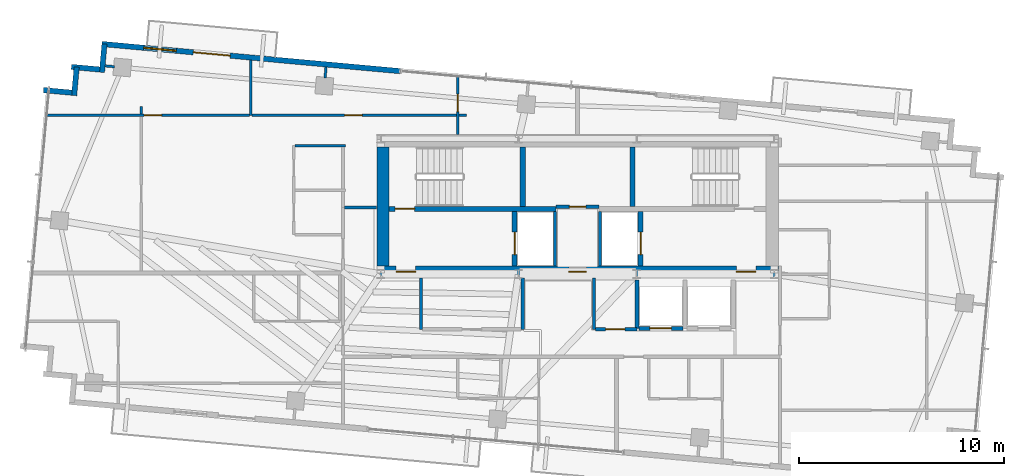
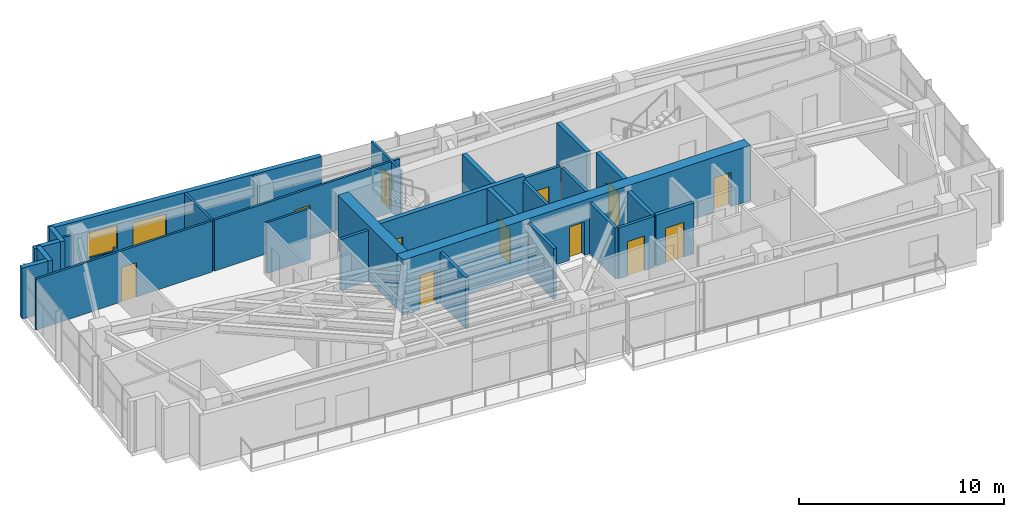
# One storey, part 17 of 22: 31 walls, 13 doors, 1 window, 14 openings.
"""IFC4 building model written with IfcOpenShell, lengths in metres."""

from ifc_helpers import new_model, si_unit, direction, frame, frame_2d, origin, place, context, subcontext, project, spatial, rectangle, extrude, source, transform, mapped, material, layer, layer_set, type_object, type_shapes, element, fill, save


model = new_model("IFC4")

# Units and contexts
model_context = context("Model", 3, precision=1e-05, world=origin(), true_north=direction((0.0, 1.0)))
body_context = subcontext(model_context, "Body", "Model", "MODEL_VIEW")
ifc_project = project(units=[si_unit("LENGTHUNIT", "METRE"), si_unit("AREAUNIT", "SQUARE_METRE"), si_unit("VOLUMEUNIT", "CUBIC_METRE"), si_unit("PLANEANGLEUNIT", "RADIAN"), si_unit("MASSUNIT", "GRAM", prefix="KILO")], contexts=[model_context])

# Site, building, storey
site_placement = place(None, origin())
site = spatial("IfcSite", under=ifc_project, at=site_placement, CompositionType="ELEMENT")
building_placement = place(site_placement, origin())
building = spatial("IfcBuilding", under=site, at=building_placement, Name="Astriad Promenade Condominiums", CompositionType="ELEMENT")
storey_placement = place(building_placement, frame((0.0, 0.0, 229.800048828125)))
storey = spatial("IfcBuildingStorey", under=building, at=storey_placement, Name="L66", CompositionType="ELEMENT", Elevation=229.800048828125)

# Wall, openings, doors
ifc_material_1 = material(Name="Concrete C50/60", Category="concrete")
ifc_layer_1 = layer(ifc_material_1, 0.60009765625)
ifc_layer_set_1 = layer_set([ifc_layer_1], Name="Concrete C50/60")
wall_type_1 = type_object("IfcWallType", Name="CW-SHEAR-600", PredefinedType="SHEAR", material=ifc_layer_set_1)
wall_1_placement = place(storey_placement, frame((26.199951171875, 17.5, 0.0), z_axis=(0.0, 0.0, 1.0), x_axis=(1.0, 0.0, 0.0)))
wall_1 = element("IfcWall", 1, at=wall_1_placement, inside=storey, type_object=wall_type_1, Name="CW-CORE-S-L66", PredefinedType="SHEAR", context=body_context, shape_type="SweptSolid", body=[
    extrude(rectangle(XDim=19.60009765625, YDim=0.60009765625, at=frame_2d((9.800048828125, 0.0))), origin(), (0.0, 0.0, 1.0), 3.300048828125),
])
opening_1_placement = place(wall_1_placement, frame((0.949951171875, 0.0, 0.0)))
opening_1 = element("IfcOpeningElement", 2, at=opening_1_placement, cuts=wall_1, Name="Opening FD90-ST-095", PredefinedType="OPENING", context=body_context, shape_type="SweptSolid", body=[
    extrude(rectangle(XDim=0.949951171875, YDim=2.06005859375, at=frame_2d((0.47509765625, 1.030029296875))), frame((0.0, 0.31005859375, 0.0), z_axis=(0.0, -1.0, 0.0), x_axis=(1.0, 0.0, 0.0)), (0.0, 0.0, 1.0), 0.6201171875),
])
opening_2_placement = place(wall_1_placement, frame((9.3798828125, 0.0, 0.0)))
opening_2 = element("IfcOpeningElement", 3, at=opening_2_placement, cuts=wall_1, Name="Opening FD60-ULOW-085", PredefinedType="OPENING", context=body_context, shape_type="SweptSolid", body=[
    extrude(rectangle(XDim=0.85009765625, YDim=2.0, at=frame_2d((0.425048828125, 1.0))), frame((0.0, 0.31005859375, 0.0), z_axis=(0.0, -1.0, 0.0), x_axis=(1.0, 0.0, 0.0)), (0.0, 0.0, 1.0), 0.6201171875),
])
opening_3_placement = place(wall_1_placement, frame((17.550048828125, 0.0, 0.0)))
opening_3 = element("IfcOpeningElement", 4, at=opening_3_placement, cuts=wall_1, Name="Opening FD90-ST-095", PredefinedType="OPENING", context=body_context, shape_type="SweptSolid", body=[
    extrude(rectangle(XDim=0.949951171875, YDim=2.06005859375, at=frame_2d((0.47509765625, 1.030029296875))), frame((0.0, 0.31005859375, 0.0), z_axis=(0.0, -1.0, 0.0), x_axis=(1.0, 0.0, 0.0)), (0.0, 0.0, 1.0), 0.6201171875),
])
ifc_material_2 = material(Name="Fire-Rated Hollow Metal Stair Door")
door_type_1 = type_object("IfcDoorType", Name="FD90-ST-095", OperationType="NOTDEFINED", PredefinedType="DOOR", material=ifc_material_2)
shared_shape_1 = source(origin(), body_context, "Body", "SweptSolid", [
    extrude(rectangle(XDim=0.949951171875, YDim=2.06005859375, at=frame_2d((0.47509765625, 1.030029296875))), frame((0.0, 0.02490234375, 0.0), z_axis=(0.0, -1.0, 0.0), x_axis=(1.0, 0.0, 0.0)), (0.0, 0.0, 1.0), 0.050048828125),
])
type_shapes(door_type_1, [shared_shape_1])
door_1_placement = place(opening_1_placement, origin())
door_1 = element("IfcDoor", 5, at=door_1_placement, inside=storey, type_object=door_type_1, Name="D-FFW-L66", OperationType="SINGLE_SWING_LEFT", OverallHeight=2.06005859375, OverallWidth=0.949951171875, PredefinedType="DOOR", context=body_context, shape_type="MappedRepresentation", body=[
    mapped(shared_shape_1, transform((0.0, 0.0, 0.0), scale=1.0)),
])
fill(opening_1, door_1)
door_2_placement = place(opening_3_placement, origin())
door_2 = element("IfcDoor", 6, at=door_2_placement, inside=storey, type_object=door_type_1, Name="D-FFE-L66", OperationType="SINGLE_SWING_RIGHT", OverallHeight=2.06005859375, OverallWidth=0.949951171875, PredefinedType="DOOR", context=body_context, shape_type="MappedRepresentation", body=[
    mapped(shared_shape_1, transform((0.0, 0.0, 0.0), scale=1.0)),
])
fill(opening_3, door_2)
ifc_material_3 = material(Name="Solid-Core Low-Headroom Fire Door")
door_type_2 = type_object("IfcDoorType", Name="FD60-ULOW-085", OperationType="NOTDEFINED", PredefinedType="DOOR", material=ifc_material_3)
shared_shape_2 = source(origin(), body_context, "Body", "SweptSolid", [
    extrude(rectangle(XDim=0.85009765625, YDim=2.0, at=frame_2d((0.425048828125, 1.0))), frame((0.0, 0.02490234375, 0.0), z_axis=(0.0, -1.0, 0.0), x_axis=(1.0, 0.0, 0.0)), (0.0, 0.0, 1.0), 0.050048828125),
])
type_shapes(door_type_2, [shared_shape_2])
door_3_placement = place(opening_2_placement, origin())
door_3 = element("IfcDoor", 7, at=door_3_placement, inside=storey, type_object=door_type_2, Name="D-CSL-L66", OperationType="SINGLE_SWING_RIGHT", OverallHeight=2.0, OverallWidth=0.85009765625, PredefinedType="DOOR", context=body_context, shape_type="MappedRepresentation", body=[
    mapped(shared_shape_2, transform((0.0, 0.0, 0.0), scale=1.0)),
])
fill(opening_2, door_3)

# Wall
wall_2_placement = place(storey_placement, frame((26.5, 17.802001953125, 0.0), z_axis=(0.0, 0.0, 1.0), x_axis=(0.0, 1.0, 0.0)))
element("IfcWall", 8, at=wall_2_placement, inside=storey, type_object=wall_type_1, Name="CW-CORE-W-L66", PredefinedType="SHEAR", context=body_context, shape_type="SweptSolid", body=[
    extrude(rectangle(XDim=5.7958984375, YDim=0.60009765625, at=frame_2d((2.89794921875, 0.0))), origin(), (0.0, 0.0, 1.0), 3.300048828125),
])

# Wall, opening, door
ifc_layer_2 = layer(ifc_material_1, 0.25)
ifc_layer_set_2 = layer_set([ifc_layer_2], Name="Concrete C50/60")
wall_type_2 = type_object("IfcWallType", Name="WALL-CORE-INT-250", PredefinedType="SOLIDWALL", material=ifc_layer_set_2)
wall_3_placement = place(storey_placement, frame((26.802001953125, 20.574951171875, 0.0), z_axis=(0.0, 0.0, 1.0), x_axis=(1.0, 0.0, 0.0)))
wall_3 = element("IfcWall", 9, at=wall_3_placement, inside=storey, type_object=wall_type_2, Name="CW-INT-H1-L66", PredefinedType="SOLIDWALL", context=body_context, shape_type="SweptSolid", body=[
    extrude(rectangle(XDim=8.14794921875, YDim=0.25, at=frame_2d((4.073974609375, 0.0))), origin(), (0.0, 0.0, 1.0), 3.300048828125),
])
opening_4_placement = place(wall_3_placement, frame((0.298095703125, 0.0, 0.0)))
opening_4 = element("IfcOpeningElement", 10, at=opening_4_placement, cuts=wall_3, Name="Opening FD90-ST-095", PredefinedType="OPENING", context=body_context, shape_type="SweptSolid", body=[
    extrude(rectangle(XDim=0.949951171875, YDim=2.06005859375, at=frame_2d((0.47509765625, 1.030029296875))), frame((0.0, 0.135009765625, 0.0), z_axis=(0.0, -1.0, 0.0), x_axis=(1.0, 0.0, 0.0)), (0.0, 0.0, 1.0), 0.27001953125),
])
door_4_placement = place(opening_4_placement, origin())
door_4 = element("IfcDoor", 11, at=door_4_placement, inside=storey, type_object=door_type_1, Name="D-ST1-L66", OperationType="SINGLE_SWING_RIGHT", OverallHeight=2.06005859375, OverallWidth=0.949951171875, PredefinedType="DOOR", context=body_context, shape_type="MappedRepresentation", body=[
    mapped(shared_shape_1, transform((0.0, 0.0, 0.0), scale=1.0)),
])
fill(opening_4, door_4)

# Walls
for number, where, z_axis, x_axis, name in (
    (12, (33.324951171875, 20.701904296875, 0.0), (0.0, 0.0, 1.0), (0.0, 1.0, 0.0), "CW-ST1-E-L66"),
    (13, (38.675048828125, 20.701904296875, 0.0), (0.0, 0.0, 1.0), (0.0, 1.0, 0.0), "CW-ST2-W-L66"),
):
    element("IfcWall", number, at=place(storey_placement, frame(where, z_axis=z_axis, x_axis=x_axis)), inside=storey, type_object=wall_type_2, Name=name, PredefinedType="SOLIDWALL", context=body_context, shape_type="SweptSolid", body=[
        extrude(rectangle(XDim=2.89599609375, YDim=0.25, at=frame_2d((1.447998046875, 0.0))), origin(), (0.0, 0.0, 1.0), 3.300048828125),
    ])

# Wall, opening, door
wall_4_placement = place(storey_placement, frame((32.925048828125, 17.802001953125, 0.0), z_axis=(0.0, 0.0, 1.0), x_axis=(0.0, 1.0, 0.0)))
wall_4 = element("IfcWall", 14, at=wall_4_placement, inside=storey, type_object=wall_type_2, Name="CW-FFL1-W-L66", PredefinedType="SOLIDWALL", context=body_context, shape_type="SweptSolid", body=[
    extrude(rectangle(XDim=2.64599609375, YDim=0.25, at=frame_2d((1.322998046875, 0.0))), origin(), (0.0, 0.0, 1.0), 3.300048828125),
])
opening_5_placement = place(wall_4_placement, frame((0.548095703125, 0.0, 0.0)))
opening_5 = element("IfcOpeningElement", 15, at=opening_5_placement, cuts=wall_4, Name="Opening LD-FFL-1122", PredefinedType="OPENING", context=body_context, shape_type="SweptSolid", body=[
    extrude(rectangle(XDim=1.10009765625, YDim=2.080078125, at=frame_2d((0.550048828125, 1.0400390625))), frame((0.0, 0.135009765625, 0.0), z_axis=(0.0, -1.0, 0.0), x_axis=(1.0, 0.0, 0.0)), (0.0, 0.0, 1.0), 0.27001953125),
])
ifc_material_4 = material(Name="Brushed Stainless Steel Fire Elevator Landing Door", Category="steel")
door_type_3 = type_object("IfcDoorType", Name="LD-FFL-1122", OperationType="NOTDEFINED", PredefinedType="DOOR", material=ifc_material_4)
shared_shape_3 = source(origin(), body_context, "Body", "SweptSolid", [
    extrude(rectangle(XDim=1.10009765625, YDim=2.080078125, at=frame_2d((0.550048828125, 1.0400390625))), frame((0.0, 0.02490234375, 0.0), z_axis=(0.0, -1.0, 0.0), x_axis=(1.0, 0.0, 0.0)), (0.0, 0.0, 1.0), 0.050048828125),
])
type_shapes(door_type_3, [shared_shape_3])
door_5_placement = place(opening_5_placement, origin())
door_5 = element("IfcDoor", 16, at=door_5_placement, inside=storey, type_object=door_type_3, Name="Elevator Landing Door FFL-1 (L66)", OperationType="SLIDING_TO_LEFT", OverallHeight=2.080078125, OverallWidth=1.10009765625, PredefinedType="DOOR", context=body_context, shape_type="MappedRepresentation", body=[
    mapped(shared_shape_3, transform((0.0, 0.0, 0.0), scale=1.0)),
])
fill(opening_5, door_5)

wall_5_placement = place(storey_placement, frame((39.074951171875, 17.802001953125, 0.0), z_axis=(0.0, 0.0, 1.0), x_axis=(0.0, 1.0, 0.0)))
wall_5 = element("IfcWall", 17, at=wall_5_placement, inside=storey, type_object=wall_type_2, Name="CW-FFL2-E-L66", PredefinedType="SOLIDWALL", context=body_context, shape_type="SweptSolid", body=[
    extrude(rectangle(XDim=2.64599609375, YDim=0.25, at=frame_2d((1.322998046875, 0.0))), origin(), (0.0, 0.0, 1.0), 3.300048828125),
])
opening_6_placement = place(wall_5_placement, frame((0.548095703125, 0.0, 0.0)))
opening_6 = element("IfcOpeningElement", 18, at=opening_6_placement, cuts=wall_5, Name="Opening LD-FFL-1122", PredefinedType="OPENING", context=body_context, shape_type="SweptSolid", body=[
    extrude(rectangle(XDim=1.10009765625, YDim=2.080078125, at=frame_2d((0.550048828125, 1.0400390625))), frame((0.0, 0.135009765625, 0.0), z_axis=(0.0, -1.0, 0.0), x_axis=(1.0, 0.0, 0.0)), (0.0, 0.0, 1.0), 0.27001953125),
])
door_6_placement = place(opening_6_placement, origin())
door_6 = element("IfcDoor", 19, at=door_6_placement, inside=storey, type_object=door_type_3, Name="Elevator Landing Door FFL-2 (L66)", OperationType="SLIDING_TO_RIGHT", OverallHeight=2.080078125, OverallWidth=1.10009765625, PredefinedType="DOOR", context=body_context, shape_type="MappedRepresentation", body=[
    mapped(shared_shape_3, transform((0.0, 0.0, 0.0), scale=1.0)),
])
fill(opening_6, door_6)

# Walls
ifc_material_5 = material(Name="Fire-Rated Gypsum Partition")
ifc_layer_3 = layer(ifc_material_5, 0.159912109375)
ifc_layer_set_3 = layer_set([ifc_layer_3], Name="Fire-Rated Gypsum Partition")
wall_type_3 = type_object("IfcWallType", Name="WALL-CORR-160", PredefinedType="PARTITIONING", material=ifc_layer_set_3)
for number, where, z_axis, x_axis, name in (
    (20, (34.89990234375, 17.802001953125, 0.0), (0.0, 0.0, 1.0), (0.0, 1.0, 0.0), "CW-FFL1-E-L66"),
    (21, (37.10009765625, 17.802001953125, 0.0), (0.0, 0.0, 1.0), (0.0, 1.0, 0.0), "CW-FFL2-W-L66"),
):
    element("IfcWall", number, at=place(storey_placement, frame(where, z_axis=z_axis, x_axis=x_axis)), inside=storey, type_object=wall_type_3, Name=name, PredefinedType="PARTITIONING", context=body_context, shape_type="SweptSolid", body=[
        extrude(rectangle(XDim=2.64599609375, YDim=0.159912109375, at=frame_2d((1.322998046875, 0.0))), origin(), (0.0, 0.0, 1.0), 3.0400390625),
    ])

# Wall, opening, door
wall_6_placement = place(storey_placement, frame((34.949951171875, 20.68994140625, 0.0), z_axis=(0.0, 0.0, 1.0), x_axis=(1.0, 0.0, 0.0)))
wall_6 = element("IfcWall", 22, at=wall_6_placement, inside=storey, type_object=wall_type_3, Name="CW-AUX-S-L66", PredefinedType="PARTITIONING", context=body_context, shape_type="SweptSolid", body=[
    extrude(rectangle(XDim=2.10009765625, YDim=0.159912109375, at=frame_2d((1.050048828125, 0.0))), origin(), (0.0, 0.0, 1.0), 3.0400390625),
])
opening_7_placement = place(wall_6_placement, frame((0.64990234375, 0.0, 0.0)))
opening_7 = element("IfcOpeningElement", 23, at=opening_7_placement, cuts=wall_6, Name="Opening FD60-SV-080", PredefinedType="OPENING", context=body_context, shape_type="SweptSolid", body=[
    extrude(rectangle(XDim=0.800048828125, YDim=2.050048828125, at=frame_2d((0.39990234375, 1.02490234375))), frame((0.0, 0.08984375, 0.0), z_axis=(0.0, -1.0, 0.0), x_axis=(1.0, 0.0, 0.0)), (0.0, 0.0, 1.0), 0.179931640625),
])
ifc_material_6 = material(Name="Fire-Rated Riser Closet Door")
door_type_4 = type_object("IfcDoorType", Name="FD60-SV-080", OperationType="NOTDEFINED", PredefinedType="DOOR", material=ifc_material_6)
shared_shape_4 = source(origin(), body_context, "Body", "SweptSolid", [
    extrude(rectangle(XDim=0.800048828125, YDim=2.050048828125, at=frame_2d((0.39990234375, 1.02490234375))), frame((0.0, 0.02490234375, 0.0), z_axis=(0.0, -1.0, 0.0), x_axis=(1.0, 0.0, 0.0)), (0.0, 0.0, 1.0), 0.050048828125),
])
type_shapes(door_type_4, [shared_shape_4])
door_7_placement = place(opening_7_placement, origin())
door_7 = element("IfcDoor", 24, at=door_7_placement, inside=storey, type_object=door_type_4, Name="D-AUX1-L66", OperationType="SINGLE_SWING_RIGHT", OverallHeight=2.050048828125, OverallWidth=0.800048828125, PredefinedType="DOOR", context=body_context, shape_type="MappedRepresentation", body=[
    mapped(shared_shape_4, transform((0.0, 0.0, 0.0), scale=1.0)),
])
fill(opening_7, door_7)

# Walls
wall_7_placement = place(storey_placement, frame((24.632080078125, 20.64990234375, 0.0), z_axis=(0.0, 0.0, 1.0), x_axis=(1.0, 0.0, 0.0)))
element("IfcWall", 25, at=wall_7_placement, inside=storey, type_object=wall_type_3, Name="PT-Z3W-N-L66", PredefinedType="PARTITIONING", context=body_context, shape_type="SweptSolid", body=[
    extrude(rectangle(XDim=1.56591796875, YDim=0.159912109375, at=frame_2d((0.782958984375, 0.0))), origin(), (0.0, 0.0, 1.0), 3.0400390625),
])
for number, where, z_axis, x_axis, name in (
    (26, (28.360107421875, 14.699951171875, 0.0), (0.0, 0.0, 1.0), (0.0, 1.0, 0.0), "PT-Z3REC-W-L66"),
    (27, (33.320068359375, 14.699951171875, 0.0), (0.0, 0.0, 1.0), (0.0, 1.0, 0.0), "PT-Z3REC-E-L66"),
    (28, (36.800048828125, 14.699951171875, 0.0), (0.0, 0.0, 1.0), (0.0, 1.0, 0.0), "PT-Z3R2-W-L66"),
):
    element("IfcWall", number, at=place(storey_placement, frame(where, z_axis=z_axis, x_axis=x_axis)), inside=storey, type_object=wall_type_3, Name=name, PredefinedType="PARTITIONING", context=body_context, shape_type="SweptSolid", body=[
        extrude(rectangle(XDim=2.498046875, YDim=0.159912109375, at=frame_2d((1.2490234375, 0.0))), origin(), (0.0, 0.0, 1.0), 3.0400390625),
    ])

# Wall, opening, door
wall_8_placement = place(storey_placement, frame((36.882080078125, 14.699951171875, 0.0), z_axis=(0.0, 0.0, 1.0), x_axis=(1.0, 0.0, 0.0)))
wall_8 = element("IfcWall", 29, at=wall_8_placement, inside=storey, type_object=wall_type_3, Name="PT-Z3R2-S-L66", PredefinedType="PARTITIONING", context=body_context, shape_type="SweptSolid", body=[
    extrude(rectangle(XDim=2.017822265625, YDim=0.159912109375, at=frame_2d((1.0087890625, 0.0))), origin(), (0.0, 0.0, 1.0), 3.0400390625),
])
opening_8_placement = place(wall_8_placement, frame((0.48291015625, 0.0, 0.0)))
opening_8 = element("IfcOpeningElement", 30, at=opening_8_placement, cuts=wall_8, Name="Opening FD60-APT-095", PredefinedType="OPENING", context=body_context, shape_type="SweptSolid", body=[
    extrude(rectangle(XDim=0.949951171875, YDim=2.06005859375, at=frame_2d((0.47509765625, 1.030029296875))), frame((0.0, 0.08984375, 0.0), z_axis=(0.0, -1.0, 0.0), x_axis=(1.0, 0.0, 0.0)), (0.0, 0.0, 1.0), 0.179931640625),
])
ifc_material_7 = material(Name="Solid-Core Acoustic Timber Residence Entry Door", Category="wood")
door_type_5 = type_object("IfcDoorType", Name="FD60-APT-095", OperationType="NOTDEFINED", PredefinedType="DOOR", material=ifc_material_7)
shared_shape_5 = source(origin(), body_context, "Body", "SweptSolid", [
    extrude(rectangle(XDim=0.949951171875, YDim=2.06005859375, at=frame_2d((0.47509765625, 1.030029296875))), frame((0.0, 0.02490234375, 0.0), z_axis=(0.0, -1.0, 0.0), x_axis=(1.0, 0.0, 0.0)), (0.0, 0.0, 1.0), 0.050048828125),
])
type_shapes(door_type_5, [shared_shape_5])
door_8_placement = place(opening_8_placement, origin())
door_8 = element("IfcDoor", 31, at=door_8_placement, inside=storey, type_object=door_type_5, Name="D-Z3N-L66", OperationType="SINGLE_SWING_LEFT", OverallHeight=2.06005859375, OverallWidth=0.949951171875, PredefinedType="DOOR", context=body_context, shape_type="MappedRepresentation", body=[
    mapped(shared_shape_5, transform((0.0, 0.0, 0.0), scale=1.0)),
])
fill(opening_8, door_8)

# Walls
ifc_material_8 = material(Name="Precast concrete C50/60", Category="concrete")
ifc_layer_4 = layer(ifc_material_8, 0.260009765625)
ifc_layer_set_4 = layer_set([ifc_layer_4], Name="Precast concrete C50/60")
wall_type_4 = type_object("IfcWallType", Name="WALL-EXT-TWR-260", PredefinedType="STANDARD", material=ifc_layer_set_4)
for number, where, z_axis, x_axis, name in (
    (32, (9.93505859375, 26.376708984375, 0.0), (0.0, 0.0, 1.0), (0.995881721538, -0.090661991521, 0.0), "W-SER-L66-04"),
    (33, (11.427001953125, 26.110595703125, 0.0), (0.0, 0.0, 1.0), (0.090835571917, 0.995865904063, 0.0), "W-SER-L66-05"),
):
    element("IfcWall", number, at=place(storey_placement, frame(where, z_axis=z_axis, x_axis=x_axis)), inside=storey, type_object=wall_type_4, Name=name, PredefinedType="STANDARD", context=body_context, shape_type="SweptSolid", body=[
        extrude(rectangle(XDim=1.39501953125, YDim=0.260009765625, at=frame_2d((0.697509765625, 0.0))), origin(), (0.0, 0.0, 1.0), 3.0400390625),
    ])
wall_9_placement = place(storey_placement, frame((11.293212890625, 27.50830078125, 0.0), z_axis=(0.0, 0.0, 1.0), x_axis=(0.995883159782, -0.090646191665, 0.0)))
element("IfcWall", 34, at=wall_9_placement, inside=storey, type_object=wall_type_4, Name="W-SER-L66-06", PredefinedType="STANDARD", context=body_context, shape_type="SweptSolid", body=[
    extrude(rectangle(XDim=1.395263671875, YDim=0.260009765625, at=frame_2d((0.69775390625, 0.0))), origin(), (0.0, 0.0, 1.0), 3.0400390625),
])
wall_10_placement = place(storey_placement, frame((12.785400390625, 27.241943359375, 0.0), z_axis=(0.0, 0.0, 1.0), x_axis=(0.090472632758, 0.995898942023, 0.0)))
element("IfcWall", 35, at=wall_10_placement, inside=storey, type_object=wall_type_4, Name="W-SER-L66-07", PredefinedType="STANDARD", context=body_context, shape_type="SweptSolid", body=[
    extrude(rectangle(XDim=1.39501953125, YDim=0.260009765625, at=frame_2d((0.697509765625, 0.0))), origin(), (0.0, 0.0, 1.0), 3.0400390625),
])

# Wall, openings, door, window
wall_11_placement = place(storey_placement, frame((12.78076171875, 28.628173828125, 0.0), z_axis=(0.0, 0.0, 1.0), x_axis=(0.995884584572, -0.090630536861, 0.0)))
wall_11 = element("IfcWall", 36, at=wall_11_placement, inside=storey, type_object=wall_type_4, Name="W-EXT-L66-N1", PredefinedType="STANDARD", context=body_context, shape_type="SweptSolid", body=[
    extrude(rectangle(XDim=14.630126953125, YDim=0.260009765625, at=frame_2d((7.31494140625, 0.0))), origin(), (0.0, 0.0, 1.0), 3.0400390625),
])
opening_9_placement = place(wall_11_placement, frame((4.485107421875, 0.0, 0.0)))
opening_9 = element("IfcOpeningElement", 37, at=opening_9_placement, cuts=wall_11, Name="Opening BD-1822-SLD", PredefinedType="OPENING", context=body_context, shape_type="SweptSolid", body=[
    extrude(rectangle(XDim=1.800048828125, YDim=2.06005859375, at=frame_2d((0.89990234375, 1.030029296875))), frame((0.0, 0.139892578125, 0.0), z_axis=(0.0, -1.0, 0.0), x_axis=(1.0, 0.0, 0.0)), (0.0, 0.0, 1.0), 0.280029296875),
])
opening_10_placement = place(wall_11_placement, frame((2.050048828125, 0.0, 0.64990234375)))
opening_10 = element("IfcOpeningElement", 38, at=opening_10_placement, cuts=wall_11, Name="Opening WIN-TWR-1620", PredefinedType="OPENING", context=body_context, shape_type="SweptSolid", body=[
    extrude(rectangle(XDim=1.60009765625, YDim=1.5, at=frame_2d((0.800048828125, 0.75))), frame((0.0, 0.139892578125, 0.0), z_axis=(0.0, -1.0, 0.0), x_axis=(1.0, 0.0, 0.0)), (0.0, 0.0, 1.0), 0.280029296875),
])
ifc_material_9 = material(Name="Thermally Broken Aluminium Sliding Balcony Door", Category="aluminium")
door_type_6 = type_object("IfcDoorType", Name="BD-1822-SLD", OperationType="NOTDEFINED", PredefinedType="DOOR", material=ifc_material_9)
shared_shape_6 = source(origin(), body_context, "Body", "SweptSolid", [
    extrude(rectangle(XDim=1.800048828125, YDim=2.06005859375, at=frame_2d((0.89990234375, 1.030029296875))), frame((0.0, 0.02490234375, 0.0), z_axis=(0.0, -1.0, 0.0), x_axis=(1.0, 0.0, 0.0)), (0.0, 0.0, 1.0), 0.050048828125),
])
type_shapes(door_type_6, [shared_shape_6])
door_9_placement = place(opening_9_placement, origin())
door_9 = element("IfcDoor", 39, at=door_9_placement, inside=storey, type_object=door_type_6, Name="BD-L66-NW", OperationType="SLIDING_TO_LEFT", OverallHeight=2.06005859375, OverallWidth=1.800048828125, PredefinedType="DOOR", context=body_context, shape_type="MappedRepresentation", body=[
    mapped(shared_shape_6, transform((0.0, 0.0, 0.0), scale=1.0)),
])
fill(opening_9, door_9)
ifc_material_10 = material(Name="Dark Tinted Triple-Glazed Aluminium Window", Category="aluminium")
window_type = type_object("IfcWindowType", Name="WIN-TWR-1620", PartitioningType="SINGLE_PANEL", PredefinedType="WINDOW", material=ifc_material_10)
shared_shape_7 = source(origin(), body_context, "Body", "SweptSolid", [
    extrude(rectangle(XDim=1.60009765625, YDim=1.5, at=frame_2d((0.800048828125, 0.75))), frame((0.0, 0.030029296875, 0.0), z_axis=(0.0, -1.0, 0.0), x_axis=(1.0, 0.0, 0.0)), (0.0, 0.0, 1.0), 0.06005859375),
])
type_shapes(window_type, [shared_shape_7])
window_placement = place(opening_10_placement, origin())
window = element("IfcWindow", 40, at=window_placement, inside=storey, type_object=window_type, Name="WIN-L66-NW", OverallHeight=1.5, OverallWidth=1.60009765625, PartitioningType="SINGLE_PANEL", PredefinedType="WINDOW", context=body_context, shape_type="MappedRepresentation", body=[
    mapped(shared_shape_7, transform((0.0, 0.0, 0.0), scale=1.0)),
])
fill(opening_10, window)

# Wall
ifc_material_11 = material(Name="Acoustic Metal-Stud Gypsum Partition")
ifc_layer_5 = layer(ifc_material_11, 0.1201171875)
ifc_layer_set_5 = layer_set([ifc_layer_5], Name="Acoustic Metal-Stud Gypsum Partition")
wall_type_5 = type_object("IfcWallType", Name="WALL-PART-120", PredefinedType="PARTITIONING", material=ifc_layer_set_5)
wall_12_placement = place(storey_placement, frame((22.2119140625, 23.669921875, 0.0), z_axis=(0.0, 0.0, 1.0), x_axis=(1.0, 0.0, 0.0)))
element("IfcWall", 41, at=wall_12_placement, inside=storey, type_object=wall_type_5, Name="PT-L66-W2-PN", PredefinedType="PARTITIONING", context=body_context, shape_type="SweptSolid", body=[
    extrude(rectangle(XDim=2.4580078125, YDim=0.1201171875, at=frame_2d((1.22900390625, 0.0))), origin(), (0.0, 0.0, 1.0), 3.0400390625),
])

# Wall, opening, door
wall_13_placement = place(storey_placement, frame((30.14990234375, 24.201904296875, 0.0), z_axis=(0.0, 0.0, 1.0), x_axis=(0.0, 1.0, 0.0)))
wall_13 = element("IfcWall", 42, at=wall_13_placement, inside=storey, type_object=wall_type_5, Name="PT-L66-W2-NC", PredefinedType="PARTITIONING", context=body_context, shape_type="SweptSolid", body=[
    extrude(rectangle(XDim=2.895751953125, YDim=0.1201171875, at=frame_2d((1.44775390625, 0.0))), origin(), (0.0, 0.0, 1.0), 3.0400390625),
])
opening_11_placement = place(wall_13_placement, frame((1.1279296875, 0.0, 0.0)))
opening_11 = element("IfcOpeningElement", 43, at=opening_11_placement, cuts=wall_13, Name="Opening D-INT-085", PredefinedType="OPENING", context=body_context, shape_type="SweptSolid", body=[
    extrude(rectangle(XDim=0.85009765625, YDim=2.050048828125, at=frame_2d((0.425048828125, 1.02490234375))), frame((0.0, 0.070068359375, 0.0), z_axis=(0.0, -1.0, 0.0), x_axis=(1.0, 0.0, 0.0)), (0.0, 0.0, 1.0), 0.14013671875),
])
ifc_material_12 = material(Name="Painted Solid-Core Timber Room Door", Category="wood")
door_type_7 = type_object("IfcDoorType", Name="D-INT-085", OperationType="NOTDEFINED", PredefinedType="DOOR", material=ifc_material_12)
shared_shape_8 = source(origin(), body_context, "Body", "SweptSolid", [
    extrude(rectangle(XDim=0.85009765625, YDim=2.050048828125, at=frame_2d((0.425048828125, 1.02490234375))), frame((0.0, 0.02490234375, 0.0), z_axis=(0.0, -1.0, 0.0), x_axis=(1.0, 0.0, 0.0)), (0.0, 0.0, 1.0), 0.050048828125),
])
type_shapes(door_type_7, [shared_shape_8])
door_10_placement = place(opening_11_placement, origin())
door_10 = element("IfcDoor", 44, at=door_10_placement, inside=storey, type_object=door_type_7, Name="D-NC-L66-W2", OperationType="SINGLE_SWING_LEFT", OverallHeight=2.050048828125, OverallWidth=0.85009765625, PredefinedType="DOOR", context=body_context, shape_type="MappedRepresentation", body=[
    mapped(shared_shape_8, transform((0.0, 0.0, 0.0), scale=1.0)),
])
fill(opening_11, door_10)

# Wall
wall_14_placement = place(storey_placement, frame((20.044921875, 25.14208984375, 0.0), z_axis=(0.0, 0.0, 1.0), x_axis=(0.0, 1.0, 0.0)))
element("IfcWall", 45, at=wall_14_placement, inside=storey, type_object=wall_type_5, Name="PT-L66-W2-B1M", PredefinedType="PARTITIONING", context=body_context, shape_type="SweptSolid", body=[
    extrude(rectangle(XDim=2.6923828125, YDim=0.1201171875, at=frame_2d((1.34619140625, 0.0))), origin(), (0.0, 0.0, 1.0), 3.0400390625),
])

# Wall, opening, door
wall_15_placement = place(storey_placement, frame((10.03369140625, 25.14208984375, 0.0), z_axis=(0.0, 0.0, 1.0), x_axis=(1.0, 0.0, 0.0)))
wall_15 = element("IfcWall", 46, at=wall_15_placement, inside=storey, type_object=wall_type_5, Name="PT-L66-W2-B1", PredefinedType="PARTITIONING", context=body_context, shape_type="SweptSolid", body=[
    extrude(rectangle(XDim=9.94921875, YDim=0.1201171875, at=frame_2d((4.974609375, 0.0))), origin(), (0.0, 0.0, 1.0), 3.0400390625),
])
opening_12_placement = place(wall_15_placement, frame((4.8134765625, 0.0, 0.0)))
opening_12 = element("IfcOpeningElement", 47, at=opening_12_placement, cuts=wall_15, Name="Opening D-INT-085", PredefinedType="OPENING", context=body_context, shape_type="SweptSolid", body=[
    extrude(rectangle(XDim=0.85009765625, YDim=2.050048828125, at=frame_2d((0.425048828125, 1.02490234375))), frame((0.0, 0.070068359375, 0.0), z_axis=(0.0, -1.0, 0.0), x_axis=(1.0, 0.0, 0.0)), (0.0, 0.0, 1.0), 0.14013671875),
])
door_11_placement = place(opening_12_placement, origin())
door_11 = element("IfcDoor", 48, at=door_11_placement, inside=storey, type_object=door_type_7, Name="D-BD1-L66-W2", OperationType="SINGLE_SWING_RIGHT", OverallHeight=2.050048828125, OverallWidth=0.85009765625, PredefinedType="DOOR", context=body_context, shape_type="MappedRepresentation", body=[
    mapped(shared_shape_8, transform((0.0, 0.0, 0.0), scale=1.0)),
])
fill(opening_12, door_11)

wall_16_placement = place(storey_placement, frame((20.10693359375, 25.14208984375, 0.0), z_axis=(0.0, 0.0, 1.0), x_axis=(1.0, 0.0, 0.0)))
wall_16 = element("IfcWall", 49, at=wall_16_placement, inside=storey, type_object=wall_type_5, Name="PT-L66-W2-B1-S2", PredefinedType="PARTITIONING", context=body_context, shape_type="SweptSolid", body=[
    extrude(rectangle(XDim=9.98095703125, YDim=0.1201171875, at=frame_2d((4.990478515625, 0.0))), origin(), (0.0, 0.0, 1.0), 3.0400390625),
])
opening_13_placement = place(wall_16_placement, frame((4.52587890625, 0.0, 0.0)))
opening_13 = element("IfcOpeningElement", 50, at=opening_13_placement, cuts=wall_16, Name="Opening D-INT-085", PredefinedType="OPENING", context=body_context, shape_type="SweptSolid", body=[
    extrude(rectangle(XDim=0.85009765625, YDim=2.050048828125, at=frame_2d((0.425048828125, 1.02490234375))), frame((0.0, 0.070068359375, 0.0), z_axis=(0.0, -1.0, 0.0), x_axis=(1.0, 0.0, 0.0)), (0.0, 0.0, 1.0), 0.14013671875),
])
door_12_placement = place(opening_13_placement, origin())
door_12 = element("IfcDoor", 51, at=door_12_placement, inside=storey, type_object=door_type_7, Name="D-BD1B-L66-W2", OperationType="SINGLE_SWING_LEFT", OverallHeight=2.050048828125, OverallWidth=0.85009765625, PredefinedType="DOOR", context=body_context, shape_type="MappedRepresentation", body=[
    mapped(shared_shape_8, transform((0.0, 0.0, 0.0), scale=1.0)),
])
fill(opening_13, door_12)

# Walls
wall_17_placement = place(storey_placement, frame((30.2119140625, 25.14208984375, 0.0), z_axis=(0.0, 0.0, 1.0), x_axis=(1.0, 0.0, 0.0)))
element("IfcWall", 52, at=wall_17_placement, inside=storey, type_object=wall_type_5, Name="PT-L66-W2-B1-S3", PredefinedType="PARTITIONING", context=body_context, shape_type="SweptSolid", body=[
    extrude(rectangle(XDim=0.358154296875, YDim=0.1201171875, at=frame_2d((0.17919921875, 0.0))), origin(), (0.0, 0.0, 1.0), 3.0400390625),
])
wall_18_placement = place(storey_placement, frame((14.7099609375, 25.2041015625, 0.0), z_axis=(0.0, 0.0, 1.0), x_axis=(0.0, 1.0, 0.0)))
element("IfcWall", 53, at=wall_18_placement, inside=storey, type_object=wall_type_5, Name="PT-L66-W2-WDV1-S2", PredefinedType="PARTITIONING", context=body_context, shape_type="SweptSolid", body=[
    extrude(rectangle(XDim=0.3779296875, YDim=0.1201171875, at=frame_2d((0.18896484375, 0.0))), origin(), (0.0, 0.0, 1.0), 3.0400390625),
])
wall_19_placement = place(storey_placement, frame((13.40283203125, 27.51708984375, 0.0), z_axis=(0.0, 0.0, 1.0), x_axis=(-0.995884462012, 0.090631883588, 0.0)))
element("IfcWall", 54, at=wall_19_placement, inside=storey, type_object=wall_type_5, Name="PT-PIL-L66-PC06-13", PredefinedType="PARTITIONING", context=body_context, shape_type="SweptSolid", body=[
    extrude(rectangle(XDim=0.4580078125, YDim=0.1201171875, at=frame_2d((0.22900390625, 0.0))), origin(), (0.0, 0.0, 1.0), 3.0400390625),
])
wall_20_placement = place(storey_placement, frame((23.6748046875, 26.9638671875, 0.0), z_axis=(0.0, 0.0, 1.0), x_axis=(0.090740281653, 0.995874591144, 0.0)))
element("IfcWall", 55, at=wall_20_placement, inside=storey, type_object=wall_type_5, Name="PT-PIL-L66-PC07-14", PredefinedType="PARTITIONING", context=body_context, shape_type="SweptSolid", body=[
    extrude(rectangle(XDim=0.5380859375, YDim=0.1201171875, at=frame_2d((0.26904296875, 0.0))), origin(), (0.0, 0.0, 1.0), 3.0400390625),
])
ifc_material_13 = material(Name="Gypsum Shaftliner Assembly")
ifc_layer_6 = layer(ifc_material_13, 0.199951171875)
ifc_layer_set_6 = layer_set([ifc_layer_6], Name="Gypsum Shaftliner Assembly")
wall_type_6 = type_object("IfcWallType", Name="WALL-SHAFT-200", PredefinedType="PARTITIONING", material=ifc_layer_set_6)
wall_21_placement = place(storey_placement, frame((38.89990234375, 14.75, 0.0), z_axis=(0.0, 0.0, 1.0), x_axis=(0.0, 1.0, 0.0)))
element("IfcWall", 56, at=wall_21_placement, inside=storey, type_object=wall_type_6, Name="PL-MH-DIV-L66", PredefinedType="PARTITIONING", context=body_context, shape_type="SweptSolid", body=[
    extrude(rectangle(XDim=2.35009765625, YDim=0.199951171875, at=frame_2d((1.175048828125, 0.0))), origin(), (0.0, 0.0, 1.0), 3.0400390625),
])

# Wall, opening, door
wall_22_placement = place(storey_placement, frame((39.001953125, 14.75, 0.0), z_axis=(0.0, 0.0, 1.0), x_axis=(1.0, 0.0, 0.0)))
wall_22 = element("IfcWall", 57, at=wall_22_placement, inside=storey, type_object=wall_type_6, Name="PL-H-FRT-L66", PredefinedType="PARTITIONING", context=body_context, shape_type="SweptSolid", body=[
    extrude(rectangle(XDim=2.14599609375, YDim=0.199951171875, at=frame_2d((1.072998046875, 0.0))), origin(), (0.0, 0.0, 1.0), 3.0400390625),
])
opening_14_placement = place(wall_22_placement, frame((0.52294921875, 0.0, 0.0)))
opening_14 = element("IfcOpeningElement", 58, at=opening_14_placement, cuts=wall_22, Name="Opening LD-PL-10522", PredefinedType="OPENING", context=body_context, shape_type="SweptSolid", body=[
    extrude(rectangle(XDim=1.050048828125, YDim=2.080078125, at=frame_2d((0.52490234375, 1.0400390625))), frame((0.0, 0.10986328125, 0.0), z_axis=(0.0, -1.0, 0.0), x_axis=(1.0, 0.0, 0.0)), (0.0, 0.0, 1.0), 0.219970703125),
])
ifc_material_14 = material(Name="Brushed Bronze Passenger Elevator Landing Door")
door_type_8 = type_object("IfcDoorType", Name="LD-PL-10522", OperationType="NOTDEFINED", PredefinedType="DOOR", material=ifc_material_14)
shared_shape_9 = source(origin(), body_context, "Body", "SweptSolid", [
    extrude(rectangle(XDim=1.050048828125, YDim=2.080078125, at=frame_2d((0.52490234375, 1.0400390625))), frame((0.0, 0.02490234375, 0.0), z_axis=(0.0, -1.0, 0.0), x_axis=(1.0, 0.0, 0.0)), (0.0, 0.0, 1.0), 0.050048828125),
])
type_shapes(door_type_8, [shared_shape_9])
door_13_placement = place(opening_14_placement, origin())
door_13 = element("IfcDoor", 59, at=door_13_placement, inside=storey, type_object=door_type_8, Name="Elevator Landing Door PL-H1 (L66)", OperationType="SLIDING_TO_LEFT", OverallHeight=2.080078125, OverallWidth=1.050048828125, PredefinedType="DOOR", context=body_context, shape_type="MappedRepresentation", body=[
    mapped(shared_shape_9, transform((0.0, 0.0, 0.0), scale=1.0)),
])
fill(opening_14, door_13)

save(model, "model.ifc")
